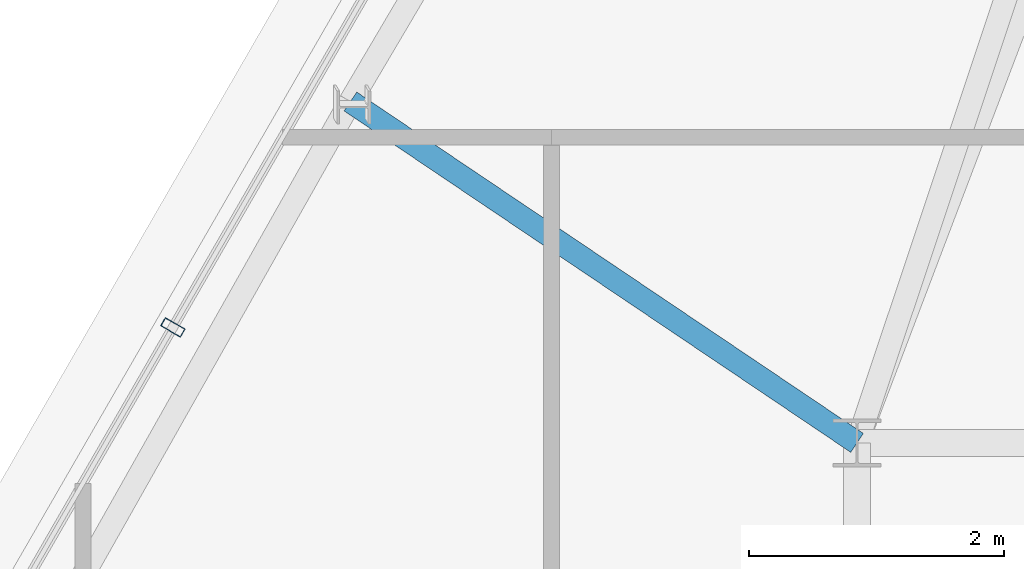
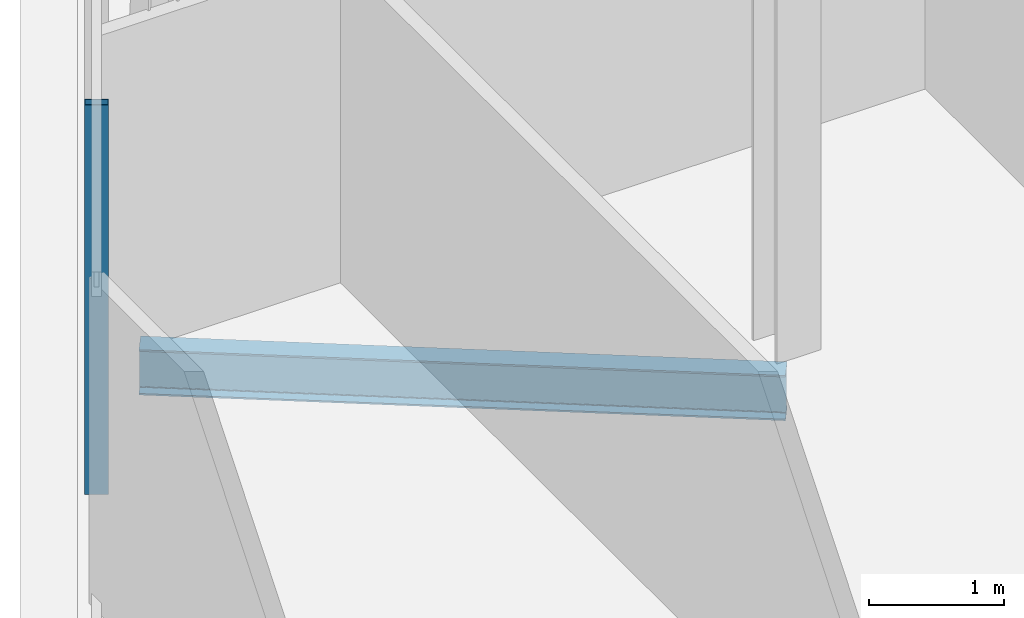
# One storey, part 11 of 32: 1 beam, 1 member, 1 element without a shape of its own.
"""IFC4 building model written with IfcOpenShell, lengths in metres."""

from ifc_helpers import new_model, si_unit, direction, frame, origin, origin_2d, place, context, subcontext, project, spatial, hollow_rectangle, i_section, extrude, material, layer, layer_set, material_profile, profile_set, type_object, element, aggregate, save


model = new_model("IFC4")

# Units and contexts
model_context = context("Model", 3, precision=1e-05, world=origin(), true_north=direction((0.0, 1.0)))
body_context = subcontext(model_context, "Body", "Model", "MODEL_VIEW")
ifc_project = project(units=[si_unit("LENGTHUNIT", "METRE"), si_unit("AREAUNIT", "SQUARE_METRE"), si_unit("VOLUMEUNIT", "CUBIC_METRE"), si_unit("PLANEANGLEUNIT", "RADIAN"), si_unit("MASSUNIT", "GRAM", prefix="KILO")], contexts=[model_context])

# Site, building, storey
site_placement = place(None, origin())
site = spatial("IfcSite", under=ifc_project, at=site_placement, CompositionType="ELEMENT")
building_placement = place(site_placement, origin())
building = spatial("IfcBuilding", under=site, at=building_placement, Name="Ndaravel Arena Tower", CompositionType="ELEMENT")
storey_placement = place(building_placement, frame((0.0, 0.0, 294.699951171875)))
storey = spatial("IfcBuildingStorey", under=building, at=storey_placement, Name="L72", CompositionType="ELEMENT", Elevation=294.699951171875)

# Beam
ifc_material_1 = material(Name="Steel S355", Category="steel")
ifc_material_profile_1 = material_profile(ifc_material_1, i_section(OverallWidth=0.1787109375, OverallDepth=0.409423828125, WebThickness=0.0087890625, FlangeThickness=0.014404296875, FilletRadius=0.01025390625, at=origin_2d()), Name="UB 406x178x67")
ifc_profile_set_1 = profile_set([ifc_material_profile_1], Name="Steel S355")
beam_type = type_object("IfcBeamType", Name="BM-GIRD-UB406", PredefinedType="BEAM", material=ifc_profile_set_1)
beam_placement = place(storey_placement, frame((30.2216796875, 25.880615234375, -0.424560546875), z_axis=(0.829299753769, -0.558804007142, 0.0), x_axis=(0.558804007142, 0.829299753769, 0.0)))
element("IfcBeam", 1, at=beam_placement, inside=storey, type_object=beam_type, Name="L72 Radial Floor Girder FG-19", PredefinedType="BEAM", context=body_context, shape_type="SweptSolid", body=[
    extrude(i_section(OverallWidth=0.1787109375, OverallDepth=0.409423828125, WebThickness=0.0087890625, FlangeThickness=0.014404296875, FilletRadius=0.01025390625, at=origin_2d()), origin(), (0.0, 0.0, 1.0), 4.797119140625),
])

# Curtain wall, member
ifc_material_2 = material(Name="Aluminium", Category="aluminium")
ifc_layer = layer(ifc_material_2, 0.179931640625)
ifc_layer_set = layer_set([ifc_layer], Name="Aluminium")
curtain_wall_type = type_object("IfcCurtainWallType", Name="CW-SYS-03", PredefinedType="NOTDEFINED", material=ifc_layer_set)
curtain_wall_placement = place(storey_placement, origin())
curtain_wall = element("IfcCurtainWall", 2, at=curtain_wall_placement, inside=storey, type_object=curtain_wall_type, Name="L72 Faceted Crystal Curtain Wall CW-L72-E05", PredefinedType="NOTDEFINED")
ifc_material_3 = material(Name="Aluminium", Category="aluminium")
ifc_material_profile_2 = material_profile(ifc_material_3, hollow_rectangle(XDim=0.074951171875, YDim=0.179931640625, WallThickness=0.00390625, at=origin_2d()), Name="CW MULLION 75x180x4")
ifc_profile_set_2 = profile_set([ifc_material_profile_2], Name="Aluminium")
member_type = type_object("IfcMemberType", Name="MEM-CW-MUL180", PredefinedType="MULLION", material=ifc_profile_set_2)
member_placement = place(storey_placement, frame((28.827880859375, 24.106689453125, 0.0), z_axis=(0.0, 0.0, 1.0), x_axis=(-0.5, -0.866025403784, 0.0)))
member = element("IfcMember", 3, at=member_placement, type_object=member_type, Name="CW-L72-E05 Mullion 05", PredefinedType="MULLION", context=body_context, shape_type="SweptSolid", body=[
    extrude(hollow_rectangle(XDim=0.074951171875, YDim=0.179931640625, WallThickness=0.00390625, at=origin_2d()), origin(), (0.0, 0.0, 1.0), 3.52001953125),
])
aggregate(curtain_wall, [member])

save(model, "model.ifc")
